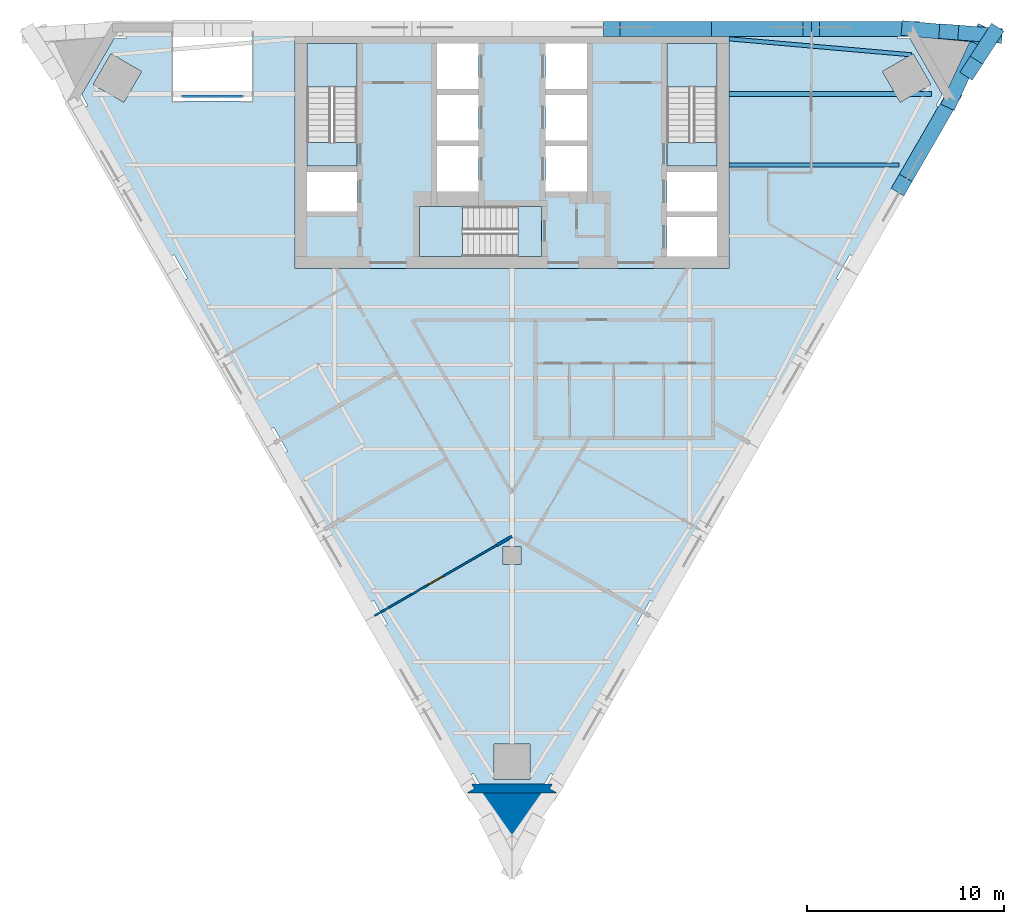
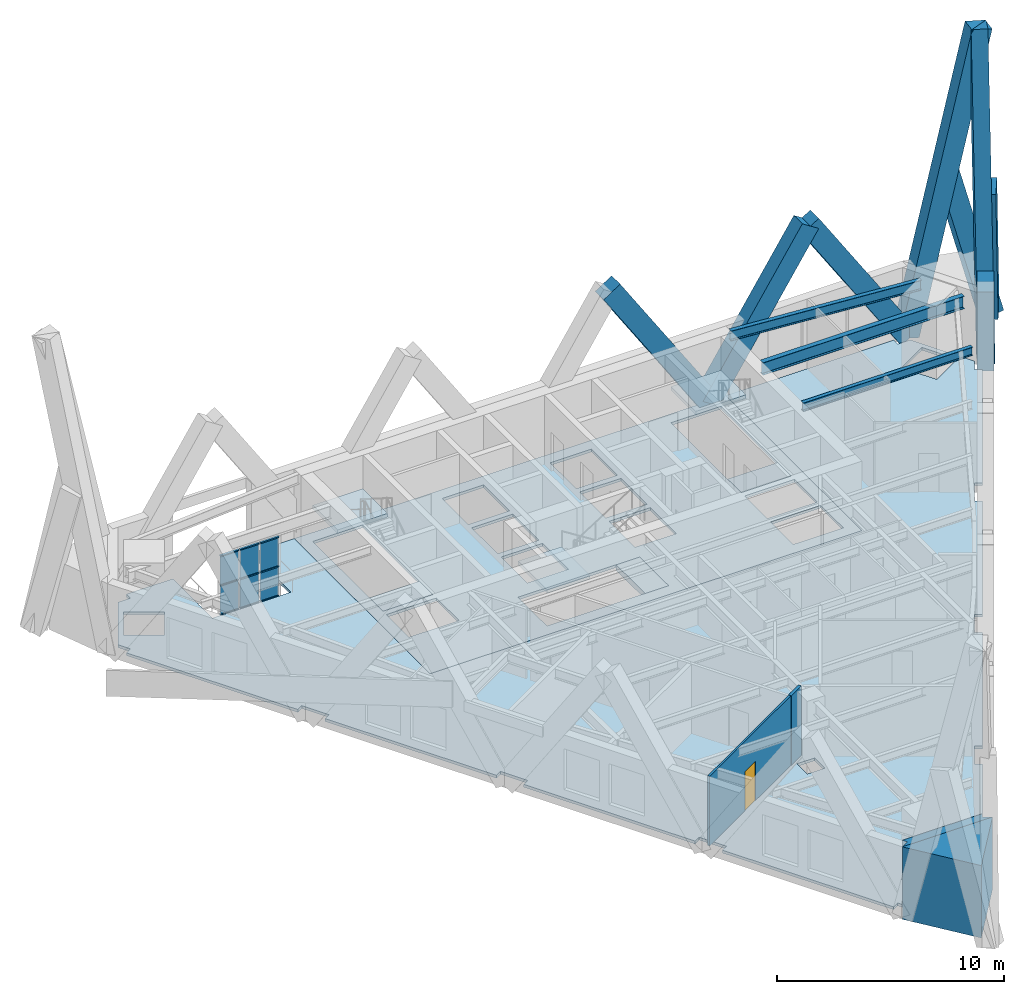
# One storey, part 3 of 9: 17 members, 8 slabs, 6 plates, 4 walls, 3 beams, 1 door, 1 opening, 4 elements without a shape of their own.
"""IFC4 building model written with IfcOpenShell, lengths in metres."""

from ifc_helpers import new_model, si_unit, direction, frame, frame_2d, origin, origin_2d, place, context, subcontext, project, spatial, polyline, rectangle, i_section, outline, extrude, material, layer, layer_set, material_profile, profile_set, type_object, element, fill, aggregate, save


model = new_model("IFC4")

# Units and contexts
model_context = context("Model", 3, precision=1e-05, world=origin(), true_north=direction((0.0, 1.0)))
body_context = subcontext(model_context, "Body", "Model", "MODEL_VIEW")
ifc_project = project(units=[si_unit("LENGTHUNIT", "METRE"), si_unit("AREAUNIT", "SQUARE_METRE"), si_unit("VOLUMEUNIT", "CUBIC_METRE"), si_unit("PLANEANGLEUNIT", "RADIAN"), si_unit("MASSUNIT", "GRAM", prefix="KILO")], contexts=[model_context])

# Site, building, storey
site_placement = place(None, origin())
site = spatial("IfcSite", under=ifc_project, at=site_placement, CompositionType="ELEMENT")
building_placement = place(site_placement, origin())
building = spatial("IfcBuilding", under=site, at=building_placement, Name="Aloe Facet Convention Tower", CompositionType="ELEMENT")
storey_placement = place(building_placement, frame((0.0, 0.0, 144.199951171875)))
storey = spatial("IfcBuildingStorey", under=building, at=storey_placement, Name="L36", CompositionType="ELEMENT", Elevation=144.199951171875)

# Curtain wall, members
ifc_material_1 = material(Name="Aluminium, anodised", Category="aluminium")
curtain_wall_type = type_object("IfcCurtainWallType", Name="EV-CW-TERRACE", PredefinedType="USERDEFINED", material=ifc_material_1)
curtain_wall_placement = place(storey_placement, origin())
curtain_wall = element("IfcCurtainWall", 1, at=curtain_wall_placement, inside=storey, type_object=curtain_wall_type, Name="CW-T07", ObjectType="TERRACE BACK GLAZING", PredefinedType="USERDEFINED")
ifc_material_2 = material(Name="Aluminium, anodised", Category="aluminium")
ifc_material_profile_1 = material_profile(ifc_material_2, rectangle(XDim=0.1201171875, YDim=0.06005859375, at=origin_2d()), Name="AL 120x60")
ifc_profile_set_1 = profile_set([ifc_material_profile_1], Name="Aluminium, anodised")
member_type_1 = type_object("IfcMemberType", Name="EV-TRAN-TERRACE", PredefinedType="USERDEFINED", material=ifc_profile_set_1)
member_1_placement = place(storey_placement, frame((66.3076171875, 131.27490234375, -0.119873046875), z_axis=(-1.0, 0.0, 0.0), x_axis=(0.0, -1.0, 0.0)))
member_1 = element("IfcMember", 2, at=member_1_placement, type_object=member_type_1, Name="CW-T07 transom 1.1", ObjectType="TRANSOM", PredefinedType="USERDEFINED", context=body_context, shape_type="SweptSolid", body=[
    extrude(rectangle(XDim=0.1201171875, YDim=0.06005859375, at=origin_2d()), origin(), (0.0, 0.0, 1.0), 0.943359375),
])
member_2_placement = place(storey_placement, frame((66.3076171875, 131.27490234375, 1.461181640625), z_axis=(-1.0, 0.0, 0.0), x_axis=(0.0, -1.0, 0.0)))
member_2 = element("IfcMember", 3, at=member_2_placement, type_object=member_type_1, Name="CW-T07 transom 1.2", ObjectType="TRANSOM", PredefinedType="USERDEFINED", context=body_context, shape_type="SweptSolid", body=[
    extrude(rectangle(XDim=0.1201171875, YDim=0.06005859375, at=origin_2d()), origin(), (0.0, 0.0, 1.0), 0.943359375),
])
member_3_placement = place(storey_placement, frame((66.3076171875, 131.27490234375, 3.042236328125), z_axis=(-1.0, 0.0, 0.0), x_axis=(0.0, -1.0, 0.0)))
member_3 = element("IfcMember", 4, at=member_3_placement, type_object=member_type_1, Name="CW-T07 transom 1.3", ObjectType="TRANSOM", PredefinedType="USERDEFINED", context=body_context, shape_type="SweptSolid", body=[
    extrude(rectangle(XDim=0.1201171875, YDim=0.06005859375, at=origin_2d()), origin(), (0.0, 0.0, 1.0), 0.943359375),
])
member_4_placement = place(storey_placement, frame((65.304443359375, 131.27490234375, -0.119873046875), z_axis=(-1.0, 0.0, 0.0), x_axis=(0.0, -1.0, 0.0)))
member_4 = element("IfcMember", 5, at=member_4_placement, type_object=member_type_1, Name="CW-T07 transom 2.1", ObjectType="TRANSOM", PredefinedType="USERDEFINED", context=body_context, shape_type="SweptSolid", body=[
    extrude(rectangle(XDim=0.1201171875, YDim=0.06005859375, at=origin_2d()), origin(), (0.0, 0.0, 1.0), 0.973388671875),
])
member_5_placement = place(storey_placement, frame((65.304443359375, 131.27490234375, 1.461181640625), z_axis=(-1.0, 0.0, 0.0), x_axis=(0.0, -1.0, 0.0)))
member_5 = element("IfcMember", 6, at=member_5_placement, type_object=member_type_1, Name="CW-T07 transom 2.2", ObjectType="TRANSOM", PredefinedType="USERDEFINED", context=body_context, shape_type="SweptSolid", body=[
    extrude(rectangle(XDim=0.1201171875, YDim=0.06005859375, at=origin_2d()), origin(), (0.0, 0.0, 1.0), 0.973388671875),
])
member_6_placement = place(storey_placement, frame((65.304443359375, 131.27490234375, 3.042236328125), z_axis=(-1.0, 0.0, 0.0), x_axis=(0.0, -1.0, 0.0)))
member_6 = element("IfcMember", 7, at=member_6_placement, type_object=member_type_1, Name="CW-T07 transom 2.3", ObjectType="TRANSOM", PredefinedType="USERDEFINED", context=body_context, shape_type="SweptSolid", body=[
    extrude(rectangle(XDim=0.1201171875, YDim=0.06005859375, at=origin_2d()), origin(), (0.0, 0.0, 1.0), 0.973388671875),
])
member_7_placement = place(storey_placement, frame((64.27099609375, 131.27490234375, -0.119873046875), z_axis=(-1.0, 0.0, 0.0), x_axis=(0.0, -1.0, 0.0)))
member_7 = element("IfcMember", 8, at=member_7_placement, type_object=member_type_1, Name="CW-T07 transom 3.1", ObjectType="TRANSOM", PredefinedType="USERDEFINED", context=body_context, shape_type="SweptSolid", body=[
    extrude(rectangle(XDim=0.1201171875, YDim=0.06005859375, at=origin_2d()), origin(), (0.0, 0.0, 1.0), 0.943359375),
])
member_8_placement = place(storey_placement, frame((64.27099609375, 131.27490234375, 1.461181640625), z_axis=(-1.0, 0.0, 0.0), x_axis=(0.0, -1.0, 0.0)))
member_8 = element("IfcMember", 9, at=member_8_placement, type_object=member_type_1, Name="CW-T07 transom 3.2", ObjectType="TRANSOM", PredefinedType="USERDEFINED", context=body_context, shape_type="SweptSolid", body=[
    extrude(rectangle(XDim=0.1201171875, YDim=0.06005859375, at=origin_2d()), origin(), (0.0, 0.0, 1.0), 0.943359375),
])
member_9_placement = place(storey_placement, frame((64.27099609375, 131.27490234375, 3.042236328125), z_axis=(-1.0, 0.0, 0.0), x_axis=(0.0, -1.0, 0.0)))
member_9 = element("IfcMember", 10, at=member_9_placement, type_object=member_type_1, Name="CW-T07 transom 3.3", ObjectType="TRANSOM", PredefinedType="USERDEFINED", context=body_context, shape_type="SweptSolid", body=[
    extrude(rectangle(XDim=0.1201171875, YDim=0.06005859375, at=origin_2d()), origin(), (0.0, 0.0, 1.0), 0.943359375),
])

# Beams
ifc_material_3 = material(Name="Steel S355", Category="steel")
ifc_material_profile_2 = material_profile(ifc_material_3, i_section(OverallWidth=0.19140625, OverallDepth=0.4599609375, WebThickness=0.010009765625, FlangeThickness=0.01611328125, FilletRadius=0.01025390625, at=origin_2d()), Name="UB 457x191x82")
ifc_profile_set_2 = profile_set([ifc_material_profile_2], Name="Steel S355")
beam_type_1 = type_object("IfcBeamType", Name="SF-B-UB457x191x82", PredefinedType="BEAM", material=ifc_profile_set_2)
beam_1_placement = place(storey_placement, frame((91.0, 127.800048828125, 3.52001953125), z_axis=(1.0, 0.0, 0.0), x_axis=(0.0, 1.0, 0.0)))
element("IfcBeam", 11, at=beam_1_placement, inside=storey, type_object=beam_type_1, Name="Floor beam FB-Z3F-041", PredefinedType="BEAM", context=body_context, shape_type="SweptSolid", body=[
    extrude(i_section(OverallWidth=0.19140625, OverallDepth=0.4599609375, WebThickness=0.010009765625, FlangeThickness=0.01611328125, FilletRadius=0.01025390625, at=origin_2d()), origin(), (0.0, 0.0, 1.0), 8.626220703125),
])
ifc_material_4 = material(Name="Steel S355", Category="steel")
ifc_material_profile_3 = material_profile(ifc_material_4, i_section(OverallWidth=0.209228515625, OverallDepth=0.533203125, WebThickness=0.010009765625, FlangeThickness=0.015625, FilletRadius=0.0126953125, at=origin_2d()), Name="UB 533x210x92")
ifc_profile_set_3 = profile_set([ifc_material_profile_3], Name="Steel S355")
beam_type_2 = type_object("IfcBeamType", Name="SF-B-UB533x210x92", PredefinedType="BEAM", material=ifc_profile_set_3)
beam_2_placement = place(storey_placement, frame((91.0, 134.1953125, 3.4833984375), z_axis=(0.996184118201, -0.087276587035, 0.0), x_axis=(0.087276587035, 0.996184118201, 0.0)))
element("IfcBeam", 12, at=beam_2_placement, inside=storey, type_object=beam_type_2, Name="Floor beam FB-Z3F-008", PredefinedType="BEAM", context=body_context, shape_type="SweptSolid", body=[
    extrude(i_section(OverallWidth=0.209228515625, OverallDepth=0.533203125, WebThickness=0.010009765625, FlangeThickness=0.015625, FilletRadius=0.0126953125, at=origin_2d()), origin(), (0.0, 0.0, 1.0), 9.281494140625),
])
ifc_material_5 = material(Name="Steel S355", Category="steel")
ifc_material_profile_4 = material_profile(ifc_material_5, i_section(OverallWidth=0.2529296875, OverallDepth=0.677978515625, WebThickness=0.01171875, FlangeThickness=0.01611328125, FilletRadius=0.01513671875, at=origin_2d()), Name="UB 686x254x125")
ifc_profile_set_4 = profile_set([ifc_material_profile_4], Name="Steel S355")
beam_type_3 = type_object("IfcBeamType", Name="SF-B-UB686x254x125", PredefinedType="BEAM", material=ifc_profile_set_4)
beam_3_placement = place(storey_placement, frame((91.0, 131.39990234375, 3.4111328125), z_axis=(1.0, 0.0, 0.0), x_axis=(0.0, 1.0, 0.0)))
element("IfcBeam", 13, at=beam_3_placement, inside=storey, type_object=beam_type_3, Name="Floor beam FB-Z3F-017", PredefinedType="BEAM", context=body_context, shape_type="SweptSolid", body=[
    extrude(i_section(OverallWidth=0.2529296875, OverallDepth=0.677978515625, WebThickness=0.01171875, FlangeThickness=0.01611328125, FilletRadius=0.01513671875, at=origin_2d()), origin(), (0.0, 0.0, 1.0), 10.26171875),
])

# Members
ifc_material_6 = material(Name="Concrete C60/75, bronze oxide finish", Category="concrete")
ifc_material_profile_5 = material_profile(ifc_material_6, rectangle(XDim=0.75, YDim=1.0, at=origin_2d()), Name="STW-LM")
ifc_profile_set_5 = profile_set([ifc_material_profile_5], Name="Concrete C60/75, bronze oxide finish")
member_type_2 = type_object("IfcMemberType", Name="STW-LM", PredefinedType="BRACE", material=ifc_profile_set_5)
for number, where, z_axis, x_axis, name in (
    (14, (100.2431640625, 134.699951171875, 0.0), (-0.544289502455, 0.0, 0.838897453517), (0.0, -1.0, 0.0), "Lattice member LM-Z3-F1-R2-01"),
    (15, (90.12158203125, 134.699951171875, 0.0), (0.544289502455, 0.0, 0.838897453517), (0.0, 1.0, 0.0), "Lattice member LM-Z3-F1-R2-02"),
    (16, (90.12158203125, 134.699951171875, 0.0), (-0.544289502455, 0.0, 0.838897453517), (0.0, -1.0, 0.0), "Lattice member LM-Z3-F1-R2-03"),
):
    element("IfcMember", number, at=place(storey_placement, frame(where, z_axis=z_axis, x_axis=x_axis)), inside=storey, type_object=member_type_2, Name=name, PredefinedType="BRACE", context=body_context, shape_type="SweptSolid", body=[
        extrude(rectangle(XDim=0.75, YDim=1.0, at=origin_2d()), origin(), (0.0, 0.0, 1.0), 9.298095703125),
    ])
member_10_placement = place(storey_placement, frame((102.283203125, 131.166259765625, 0.0), z_axis=(-0.272132057907, -0.471373475835, 0.838898795647), x_axis=(0.866037770685, -0.499978579288, 0.0)))
element("IfcMember", 17, at=member_10_placement, inside=storey, type_object=member_type_2, Name="Lattice member LM-Z3-F3-R2-08", PredefinedType="BRACE", context=body_context, shape_type="SweptSolid", body=[
    extrude(rectangle(XDim=0.75, YDim=1.0, at=origin_2d()), origin(), (0.0, 0.0, 1.0), 9.2978515625),
])
member_11_placement = place(storey_placement, frame((102.283203125, 131.166259765625, 0.0), z_axis=(0.09287971469, 0.200305751171, 0.975320954685), x_axis=(-0.907215383297, 0.420666433541, 0.0)))
element("IfcMember", 18, at=member_11_placement, inside=storey, type_object=member_type_2, Name="Lattice member LM-Z3-F6-R2-01", PredefinedType="BRACE", context=body_context, shape_type="SweptSolid", body=[
    extrude(rectangle(XDim=0.75, YDim=1.0, at=origin_2d()), origin(), (0.0, 0.0, 1.0), 15.994873046875),
])
member_12_placement = place(storey_placement, frame((104.36474609375, 134.375732421875, 0.0), z_axis=(-0.129580617555, -0.199820032347, 0.971226450539), x_axis=(0.839023348025, -0.544095415776, 0.0)))
element("IfcMember", 19, at=member_12_placement, inside=storey, type_object=member_type_2, Name="Lattice member LM-Z3-F6-R2-02", PredefinedType="BRACE", context=body_context, shape_type="SweptSolid", body=[
    extrude(rectangle(XDim=0.75, YDim=1.0, at=origin_2d()), origin(), (0.0, 0.0, 1.0), 8.35595703125),
])
member_13_placement = place(storey_placement, frame((100.2431640625, 134.699951171875, 0.0), z_axis=(0.220394388514, -0.020618573429, 0.975192897811), x_axis=(0.09314634931, 0.995652428114, 0.0)))
element("IfcMember", 20, at=member_13_placement, inside=storey, type_object=member_type_2, Name="Lattice member LM-Z3-F6-R2-03", PredefinedType="BRACE", context=body_context, shape_type="SweptSolid", body=[
    extrude(rectangle(XDim=0.75, YDim=1.0, at=origin_2d()), origin(), (0.0, 0.0, 1.0), 15.996826171875),
])
member_14_placement = place(storey_placement, frame((104.36474609375, 134.375732421875, 0.0), z_axis=(-0.255396942594, 0.020108226402, 0.966627157152), x_axis=(-0.078490328854, -0.99691487514, 0.0)))
element("IfcMember", 21, at=member_14_placement, inside=storey, type_object=member_type_2, Name="Lattice member LM-Z3-F6-R2-04", PredefinedType="BRACE", context=body_context, shape_type="SweptSolid", body=[
    extrude(rectangle(XDim=0.75, YDim=1.0, at=origin_2d()), origin(), (0.0, 0.0, 1.0), 8.693115234375),
])

# Slabs
ifc_material_7 = material(Name="Concrete C60/75", Category="concrete")
ifc_layer_1 = layer(ifc_material_7, 0.14990234375)
ifc_layer_set_1 = layer_set([ifc_layer_1], Name="CR-S-FLOOR150-C6075")
slab_type_1 = type_object("IfcSlabType", Name="CR-S-FLOOR150-C6075", PredefinedType="FLOOR", material=ifc_layer_set_1)
slab_1_placement = place(storey_placement, frame((0.0, 0.0, -0.14990234375)))
element("IfcSlab", 22, at=slab_1_placement, inside=storey, type_object=slab_type_1, Name="Core floor L36", PredefinedType="FLOOR", context=body_context, shape_type="SweptSolid", body=[
    extrude(outline(polyline([(71.85009765625, 134.550048828125), (72.75, 134.550048828125), (75.60009765625, 134.550048828125), (76.5, 134.550048828125), (78.0, 134.550048828125), (78.89990234375, 134.550048828125), (81.10009765625, 134.550048828125), (82.0, 134.550048828125), (83.5, 134.550048828125), (84.39990234375, 134.550048828125), (87.25, 134.550048828125), (88.14990234375, 134.550048828125), (91.0, 134.550048828125), (91.0, 128.050048828125), (91.0, 127.14990234375), (91.0, 125.75), (91.0, 124.85009765625), (91.0, 122.550048828125), (88.14990234375, 122.550048828125), (87.25, 122.550048828125), (85.300048828125, 122.550048828125), (84.39990234375, 122.550048828125), (82.10009765625, 122.550048828125), (81.199951171875, 122.550048828125), (75.60009765625, 122.550048828125), (74.699951171875, 122.550048828125), (72.75, 122.550048828125), (71.85009765625, 122.550048828125), (69.0, 122.550048828125), (69.0, 124.85009765625), (69.0, 125.75), (69.0, 127.14990234375), (69.0, 128.050048828125), (69.0, 134.550048828125), (71.85009765625, 134.550048828125)]), holes=[polyline([(80.298828125, 123.14990234375), (81.5, 123.14990234375), (81.5, 125.699951171875), (80.298828125, 125.699951171875), (75.300048828125, 125.699951171875), (75.300048828125, 123.14990234375), (80.298828125, 123.14990234375)]), polyline([(69.60009765625, 125.449951171875), (72.14990234375, 125.449951171875), (72.14990234375, 127.449951171875), (69.60009765625, 127.449951171875), (69.60009765625, 125.449951171875)]), polyline([(76.199951171875, 126.449951171875), (78.300048828125, 126.449951171875), (78.300048828125, 128.75), (76.199951171875, 128.75), (76.199951171875, 126.449951171875)]), polyline([(78.300048828125, 129.050048828125), (78.300048828125, 131.35009765625), (76.199951171875, 131.35009765625), (76.199951171875, 129.050048828125), (78.300048828125, 129.050048828125)]), polyline([(69.60009765625, 133.949951171875), (69.60009765625, 128.951171875), (69.60009765625, 127.75), (72.14990234375, 127.75), (72.14990234375, 128.951171875), (72.14990234375, 133.949951171875), (69.60009765625, 133.949951171875)]), polyline([(76.199951171875, 131.64990234375), (78.300048828125, 131.64990234375), (78.300048828125, 133.949951171875), (76.199951171875, 133.949951171875), (76.199951171875, 131.64990234375)]), polyline([(90.39990234375, 123.14990234375), (90.39990234375, 125.14990234375), (87.85009765625, 125.14990234375), (87.85009765625, 123.14990234375), (90.39990234375, 123.14990234375)]), polyline([(87.85009765625, 125.449951171875), (90.39990234375, 125.449951171875), (90.39990234375, 127.449951171875), (87.85009765625, 127.449951171875), (87.85009765625, 125.449951171875)]), polyline([(81.699951171875, 126.449951171875), (83.800048828125, 126.449951171875), (83.800048828125, 128.75), (81.699951171875, 128.75), (81.699951171875, 126.449951171875)]), polyline([(83.800048828125, 129.050048828125), (83.800048828125, 131.35009765625), (81.699951171875, 131.35009765625), (81.699951171875, 129.050048828125), (83.800048828125, 129.050048828125)]), polyline([(87.85009765625, 133.949951171875), (87.85009765625, 128.951171875), (87.85009765625, 127.75), (90.39990234375, 127.75), (90.39990234375, 128.951171875), (90.39990234375, 133.949951171875), (87.85009765625, 133.949951171875)]), polyline([(81.699951171875, 131.64990234375), (83.800048828125, 131.64990234375), (83.800048828125, 133.949951171875), (81.699951171875, 133.949951171875), (81.699951171875, 131.64990234375)])]), origin(), (0.0, 0.0, 1.0), 0.14990234375),
])
ifc_material_8 = material(Name="Concrete C60/75", Category="concrete")
ifc_layer_2 = layer(ifc_material_8, 0.300048828125)
ifc_layer_set_2 = layer_set([ifc_layer_2], Name="CR-S-FLOOR300-C6075")
slab_type_2 = type_object("IfcSlabType", Name="CR-S-FLOOR300-C6075", PredefinedType="FLOOR", material=ifc_layer_set_2)
slab_2_placement = place(storey_placement, frame((0.0, 0.0, -0.300048828125)))
element("IfcSlab", 23, at=slab_2_placement, inside=storey, type_object=slab_type_2, Name="Stair landing floor L36", PredefinedType="FLOOR", context=body_context, shape_type="SweptSolid", body=[
    extrude(outline(polyline([(72.14990234375, 127.75), (72.14990234375, 128.951171875), (69.60009765625, 128.951171875), (69.60009765625, 127.75), (72.14990234375, 127.75)])), origin(), (0.0, 0.0, 1.0), 0.300048828125),
])
slab_3_placement = place(storey_placement, frame((0.0, 0.0, -0.300048828125)))
element("IfcSlab", 24, at=slab_3_placement, inside=storey, type_object=slab_type_2, Name="Stair landing floor L36", PredefinedType="FLOOR", context=body_context, shape_type="SweptSolid", body=[
    extrude(outline(polyline([(90.39990234375, 127.75), (90.39990234375, 128.951171875), (87.85009765625, 128.951171875), (87.85009765625, 127.75), (90.39990234375, 127.75)])), origin(), (0.0, 0.0, 1.0), 0.300048828125),
])
slab_4_placement = place(storey_placement, frame((0.0, 0.0, -0.300048828125)))
element("IfcSlab", 25, at=slab_4_placement, inside=storey, type_object=slab_type_2, Name="Stair landing floor L36", PredefinedType="FLOOR", context=body_context, shape_type="SweptSolid", body=[
    extrude(outline(polyline([(81.5, 125.699951171875), (80.298828125, 125.699951171875), (80.298828125, 123.14990234375), (81.5, 123.14990234375), (81.5, 125.699951171875)])), origin(), (0.0, 0.0, 1.0), 0.300048828125),
])

# Stair, slab
ifc_material_9 = material(Name="Concrete C50/60", Category="concrete")
stair_type = type_object("IfcStairType", Name="CR-ST-22R", PredefinedType="HALF_TURN_STAIR", material=ifc_material_9)
stair_1_placement = place(storey_placement, origin())
stair_1 = element("IfcStair", 26, at=stair_1_placement, inside=storey, type_object=stair_type, Name="L36 Protected exit stair ST1", PredefinedType="HALF_TURN_STAIR")
ifc_material_10 = material(Name="Concrete C50/60", Category="concrete")
ifc_layer_3 = layer(ifc_material_10, 0.199951171875)
ifc_layer_set_3 = layer_set([ifc_layer_3], Name="CR-SL-LANDING")
slab_type_3 = type_object("IfcSlabType", Name="CR-SL-LANDING", PredefinedType="LANDING", material=ifc_layer_set_3)
slab_5_placement = place(storey_placement, frame((0.0, 0.0, 1.75)))
slab_5 = element("IfcSlab", 27, at=slab_5_placement, type_object=slab_type_3, Name="ST1 landing 1", PredefinedType="LANDING", context=body_context, shape_type="SweptSolid", body=[
    extrude(outline(polyline([(72.14990234375, 131.75), (72.14990234375, 133.949951171875), (69.60009765625, 133.949951171875), (69.60009765625, 131.75), (72.14990234375, 131.75)])), origin(), (0.0, 0.0, 1.0), 0.199951171875),
])
aggregate(stair_1, [slab_5])

stair_2_placement = place(storey_placement, origin())
stair_2 = element("IfcStair", 28, at=stair_2_placement, inside=storey, type_object=stair_type, Name="L36 Protected exit stair ST2", PredefinedType="HALF_TURN_STAIR")
slab_6_placement = place(storey_placement, frame((0.0, 0.0, 1.75)))
slab_6 = element("IfcSlab", 29, at=slab_6_placement, type_object=slab_type_3, Name="ST2 landing 1", PredefinedType="LANDING", context=body_context, shape_type="SweptSolid", body=[
    extrude(outline(polyline([(90.39990234375, 131.75), (90.39990234375, 133.949951171875), (87.85009765625, 133.949951171875), (87.85009765625, 131.75), (90.39990234375, 131.75)])), origin(), (0.0, 0.0, 1.0), 0.199951171875),
])
aggregate(stair_2, [slab_6])

stair_3_placement = place(storey_placement, origin())
stair_3 = element("IfcStair", 30, at=stair_3_placement, inside=storey, type_object=stair_type, Name="L36 Protected exit stair ST3", PredefinedType="HALF_TURN_STAIR")
slab_7_placement = place(storey_placement, frame((0.0, 0.0, 1.75)))
slab_7 = element("IfcSlab", 31, at=slab_7_placement, type_object=slab_type_3, Name="ST3 landing 1", PredefinedType="LANDING", context=body_context, shape_type="SweptSolid", body=[
    extrude(outline(polyline([(77.5, 125.699951171875), (75.300048828125, 125.699951171875), (75.300048828125, 123.14990234375), (77.5, 123.14990234375), (77.5, 125.699951171875)])), origin(), (0.0, 0.0, 1.0), 0.199951171875),
])
aggregate(stair_3, [slab_7])

# Plate
ifc_material_11 = material(Name="Clear double glazing", Category="glass")
ifc_layer_4 = layer(ifc_material_11, 0.028076171875)
ifc_layer_set_4 = layer_set([ifc_layer_4], Name="EV-PANEL-TERRACE")
plate_type = type_object("IfcPlateType", Name="EV-PANEL-TERRACE", PredefinedType="CURTAIN_PANEL", material=ifc_layer_set_4)
plate_1_placement = place(storey_placement, frame((65.8359375, 131.27490234375, -0.08984375), z_axis=(0.0, 0.0, 1.0), x_axis=(-1.0, 0.0, 0.0)))
plate_1 = element("IfcPlate", 32, at=plate_1_placement, type_object=plate_type, Name="CW-T07 panel 1.1", PredefinedType="CURTAIN_PANEL", context=body_context, shape_type="SweptSolid", body=[
    extrude(rectangle(XDim=0.943359375, YDim=0.028076171875, at=origin_2d()), origin(), (0.0, 0.0, 1.0), 1.52099609375),
])

plate_2_placement = place(storey_placement, frame((65.8359375, 131.27490234375, 1.4912109375), z_axis=(0.0, 0.0, 1.0), x_axis=(-1.0, 0.0, 0.0)))
plate_2 = element("IfcPlate", 33, at=plate_2_placement, type_object=plate_type, Name="CW-T07 panel 1.2", PredefinedType="CURTAIN_PANEL", context=body_context, shape_type="SweptSolid", body=[
    extrude(rectangle(XDim=0.943359375, YDim=0.028076171875, at=origin_2d()), origin(), (0.0, 0.0, 1.0), 1.52099609375),
])

plate_3_placement = place(storey_placement, frame((64.817626953125, 131.27490234375, -0.08984375), z_axis=(0.0, 0.0, 1.0), x_axis=(-1.0, 0.0, 0.0)))
plate_3 = element("IfcPlate", 34, at=plate_3_placement, type_object=plate_type, Name="CW-T07 panel 2.1", PredefinedType="CURTAIN_PANEL", context=body_context, shape_type="SweptSolid", body=[
    extrude(rectangle(XDim=0.973388671875, YDim=0.028076171875, at=origin_2d()), origin(), (0.0, 0.0, 1.0), 1.52099609375),
])

plate_4_placement = place(storey_placement, frame((64.817626953125, 131.27490234375, 1.4912109375), z_axis=(0.0, 0.0, 1.0), x_axis=(-1.0, 0.0, 0.0)))
plate_4 = element("IfcPlate", 35, at=plate_4_placement, type_object=plate_type, Name="CW-T07 panel 2.2", PredefinedType="CURTAIN_PANEL", context=body_context, shape_type="SweptSolid", body=[
    extrude(rectangle(XDim=0.973388671875, YDim=0.028076171875, at=origin_2d()), origin(), (0.0, 0.0, 1.0), 1.52099609375),
])

plate_5_placement = place(storey_placement, frame((63.79931640625, 131.27490234375, -0.08984375), z_axis=(0.0, 0.0, 1.0), x_axis=(-1.0, 0.0, 0.0)))
plate_5 = element("IfcPlate", 36, at=plate_5_placement, type_object=plate_type, Name="CW-T07 panel 3.1", PredefinedType="CURTAIN_PANEL", context=body_context, shape_type="SweptSolid", body=[
    extrude(rectangle(XDim=0.943359375, YDim=0.028076171875, at=origin_2d()), origin(), (0.0, 0.0, 1.0), 1.52099609375),
])

plate_6_placement = place(storey_placement, frame((63.79931640625, 131.27490234375, 1.4912109375), z_axis=(0.0, 0.0, 1.0), x_axis=(-1.0, 0.0, 0.0)))
plate_6 = element("IfcPlate", 37, at=plate_6_placement, type_object=plate_type, Name="CW-T07 panel 3.2", PredefinedType="CURTAIN_PANEL", context=body_context, shape_type="SweptSolid", body=[
    extrude(rectangle(XDim=0.943359375, YDim=0.028076171875, at=origin_2d()), origin(), (0.0, 0.0, 1.0), 1.52099609375),
])

aggregate(curtain_wall, [member_1, member_2, member_3, plate_1, plate_2, member_4, member_5, member_6, plate_3, plate_4, member_7, member_8, member_9, plate_5, plate_6])

# Slab
ifc_material_12 = material(Name="Concrete C35/45", Category="concrete")
ifc_layer_5 = layer(ifc_material_12, 0.14990234375)
ifc_layer_set_5 = layer_set([ifc_layer_5], Name="SF-FS-150")
slab_type_4 = type_object("IfcSlabType", Name="SF-FS-150", PredefinedType="FLOOR", material=ifc_layer_set_5)
slab_8_placement = place(storey_placement, frame((0.0, 0.0, -0.14990234375)))
element("IfcSlab", 38, at=slab_8_placement, inside=storey, type_object=slab_type_4, Name="Floor slab L36-1", PredefinedType="FLOOR", context=body_context, shape_type="SweptSolid", body=[
    extrude(outline(polyline([(101.8212890625, 131.3662109375), (101.55224609375, 130.900146484375), (101.503662109375, 130.81591796875), (101.806640625, 130.640869140625), (97.439208984375, 123.076171875), (97.13623046875, 123.251220703125), (96.917236328125, 122.8720703125), (96.905029296875, 122.85107421875), (96.78955078125, 122.65087890625), (96.750244140625, 122.582763671875), (96.673828125, 122.45068359375), (96.44287109375, 122.05029296875), (96.745849609375, 121.875244140625), (92.37841796875, 114.310791015625), (92.075439453125, 114.485595703125), (91.84423828125, 114.08544921875), (91.728759765625, 113.88525390625), (91.4306640625, 113.369140625), (91.382080078125, 113.284912109375), (91.685302734375, 113.10986328125), (87.317626953125, 105.545166015625), (87.0146484375, 105.72021484375), (86.966064453125, 105.635986328125), (86.84375, 105.42431640625), (86.783447265625, 105.320068359375), (86.3212890625, 104.519287109375), (86.62451171875, 104.34423828125), (82.257080078125, 96.77978515625), (81.953857421875, 96.95458984375), (81.9052734375, 96.870361328125), (81.635986328125, 96.404296875), (78.364013671875, 96.404296875), (78.046142578125, 96.95458984375), (77.742919921875, 96.77978515625), (73.37548828125, 104.34423828125), (73.6787109375, 104.519287109375), (73.447509765625, 104.91943359375), (72.9853515625, 105.72021484375), (72.682373046875, 105.545166015625), (68.314697265625, 113.10986328125), (68.617919921875, 113.284912109375), (68.5693359375, 113.369140625), (68.5009765625, 113.487548828125), (68.386962890625, 113.68505859375), (67.924560546875, 114.485595703125), (67.62158203125, 114.310791015625), (63.254150390625, 121.875244140625), (63.55712890625, 122.05029296875), (63.508544921875, 122.134521484375), (63.21044921875, 122.65087890625), (63.094970703125, 122.85107421875), (62.86376953125, 123.251220703125), (62.560791015625, 123.076171875), (58.193359375, 130.640869140625), (58.496337890625, 130.81591796875), (58.44775390625, 130.900146484375), (58.44775390625, 130.900146484375), (58.1787109375, 131.3662109375), (59.814697265625, 134.199951171875), (60.352783203125, 134.199951171875), (60.4501953125, 134.199951171875), (60.4501953125, 134.550048828125), (62.817626953125, 134.550048828125), (62.817626953125, 131.050048828125), (66.817626953125, 131.050048828125), (66.817626953125, 134.550048828125), (69.0, 134.550048828125), (69.0, 128.050048828125), (69.0, 127.14990234375), (69.0, 125.75), (69.0, 124.85009765625), (69.0, 122.550048828125), (71.85009765625, 122.550048828125), (72.75, 122.550048828125), (74.699951171875, 122.550048828125), (75.60009765625, 122.550048828125), (81.199951171875, 122.550048828125), (82.10009765625, 122.550048828125), (84.39990234375, 122.550048828125), (85.300048828125, 122.550048828125), (87.25, 122.550048828125), (88.14990234375, 122.550048828125), (91.0, 122.550048828125), (91.0, 124.85009765625), (91.0, 125.75), (91.0, 127.14990234375), (91.0, 128.050048828125), (91.0, 134.550048828125), (99.5498046875, 134.550048828125), (99.5498046875, 134.199951171875), (99.647216796875, 134.199951171875), (100.185302734375, 134.199951171875), (101.8212890625, 131.3662109375)]), holes=[polyline([(61.221923828125, 132.53759765625), (59.6630859375, 133.4375), (58.76318359375, 131.878662109375), (60.322021484375, 130.978759765625), (61.221923828125, 132.53759765625)]), polyline([(79.10009765625, 98.4541015625), (79.10009765625, 96.654296875), (80.89990234375, 96.654296875), (80.89990234375, 98.4541015625), (79.10009765625, 98.4541015625)]), polyline([(79.550048828125, 107.550048828125), (80.449951171875, 107.550048828125), (80.449951171875, 108.449951171875), (79.550048828125, 108.449951171875), (79.550048828125, 107.550048828125)]), polyline([(101.23681640625, 131.878662109375), (100.3369140625, 133.4375), (98.778076171875, 132.53759765625), (99.677978515625, 130.978759765625), (101.23681640625, 131.878662109375)])]), origin(), (0.0, 0.0, 1.0), 0.14990234375),
])

# Walls
ifc_material_13 = material(Name="Precast concrete C40/50", Category="concrete")
ifc_layer_6 = layer(ifc_material_13, 0.449951171875)
ifc_layer_set_6 = layer_set([ifc_layer_6], Name="EV-WALL-PIER")
wall_type_1 = type_object("IfcWallType", Name="EV-WALL-PIER", PredefinedType="SOLIDWALL", material=ifc_layer_set_6)
wall_1_placement = place(storey_placement, frame((0.0, 0.0, -0.14990234375)))
element("IfcWall", 39, at=wall_1_placement, inside=storey, type_object=wall_type_1, Name="EP-L36-B", PredefinedType="SOLIDWALL", context=body_context, shape_type="SweptSolid", body=[
    extrude(outline(polyline([(77.699951171875, 95.954345703125), (78.089599609375, 96.17919921875), (77.959716796875, 96.404296875), (82.040283203125, 96.404296875), (81.910400390625, 96.17919921875), (82.300048828125, 95.954345703125), (77.699951171875, 95.954345703125)])), origin(), (0.0, 0.0, 1.0), 3.89990234375),
])
ifc_material_14 = material(Name="Precast concrete C40/50", Category="concrete")
ifc_layer_7 = layer(ifc_material_14, 3.947998046875)
ifc_layer_set_7 = layer_set([ifc_layer_7], Name="EV-WALL-SPINE")
wall_type_2 = type_object("IfcWallType", Name="EV-WALL-SPINE", PredefinedType="SOLIDWALL", material=ifc_layer_set_7)
wall_2_placement = place(storey_placement, frame((0.0, 0.0, -0.14990234375)))
element("IfcWall", 40, at=wall_2_placement, inside=storey, type_object=wall_type_2, Name="SP-S-L36", PredefinedType="SOLIDWALL", context=body_context, shape_type="SweptSolid", body=[
    extrude(outline(polyline([(77.699951171875, 95.954345703125), (80.0, 92.959716796875), (82.300048828125, 95.954345703125), (77.699951171875, 95.954345703125)])), origin(), (0.0, 0.0, 1.0), 3.89990234375),
])
ifc_material_15 = material(Name="Gypsum board partition on steel studs", Category="steel")
ifc_layer_8 = layer(ifc_material_15, 0.14990234375)
ifc_layer_set_8 = layer_set([ifc_layer_8], Name="IN-W-CORR")
wall_type_3 = type_object("IfcWallType", Name="IN-W-CORR", PredefinedType="PARTITIONING", material=ifc_layer_set_8)
wall_3_placement = place(storey_placement, frame((79.229736328125, 108.524658203125, 0.0), z_axis=(0.0, 0.0, 1.0), x_axis=(0.865970738743, 0.500094670678, 0.0)))
element("IfcWall", 41, at=wall_3_placement, inside=storey, type_object=wall_type_3, Name="Partition L36-W002", PredefinedType="PARTITIONING", context=body_context, shape_type="SweptSolid", body=[
    extrude(rectangle(XDim=0.889404296875, YDim=0.14990234375, at=frame_2d((0.44482421875, 0.0))), origin(), (0.0, 0.0, 1.0), 3.75),
])

# Wall, opening, door
ifc_material_16 = material(Name="Gypsum board partition on steel studs", Category="steel")
ifc_layer_9 = layer(ifc_material_16, 0.10009765625)
ifc_layer_set_9 = layer_set([ifc_layer_9], Name="IN-W-PART")
wall_type_4 = type_object("IfcWallType", Name="IN-W-PART", PredefinedType="PARTITIONING", material=ifc_layer_set_9)
wall_4_placement = place(storey_placement, frame((73.029052734375, 104.94482421875, 0.0), z_axis=(0.0, 0.0, 1.0), x_axis=(0.866033408367, 0.4999861354, 0.0)))
wall_4 = element("IfcWall", 42, at=wall_4_placement, inside=storey, type_object=wall_type_4, Name="Partition L36-W001", PredefinedType="PARTITIONING", context=body_context, shape_type="SweptSolid", body=[
    extrude(rectangle(XDim=7.159912109375, YDim=0.10009765625, at=frame_2d((3.580078125, 0.0))), origin(), (0.0, 0.0, 1.0), 3.75),
])
opening_placement = place(wall_4_placement, frame((3.1298828125, 0.0, 0.0)))
opening = element("IfcOpeningElement", 43, at=opening_placement, cuts=wall_4, Name="Opening L36-016", PredefinedType="OPENING", context=body_context, shape_type="SweptSolid", body=[
    extrude(rectangle(XDim=0.89990234375, YDim=2.10009765625, at=frame_2d((0.449951171875, 1.050048828125))), frame((0.0, 0.06005859375, 0.0), z_axis=(0.0, -1.0, 0.0), x_axis=(1.0, 0.0, 0.0)), (0.0, 0.0, 1.0), 0.1201171875),
])
ifc_material_17 = material(Name="Timber door", Category="wood")
door_type = type_object("IfcDoorType", Name="IN-OFF-D-ROOM", OperationType="SINGLE_SWING_LEFT", PredefinedType="DOOR", material=ifc_material_17)
door_placement = place(opening_placement, origin())
door = element("IfcDoor", 44, at=door_placement, inside=storey, type_object=door_type, Name="Door L36-016", OperationType="SINGLE_SWING_LEFT", OverallHeight=2.10009765625, OverallWidth=0.89990234375, PredefinedType="DOOR", context=body_context, shape_type="SweptSolid", body=[
    extrude(rectangle(XDim=0.89990234375, YDim=2.10009765625, at=frame_2d((0.449951171875, 1.050048828125))), frame((0.0, 0.02490234375, 0.0), z_axis=(0.0, -1.0, 0.0), x_axis=(1.0, 0.0, 0.0)), (0.0, 0.0, 1.0), 0.050048828125),
])
fill(opening, door)

save(model, "model.ifc")
